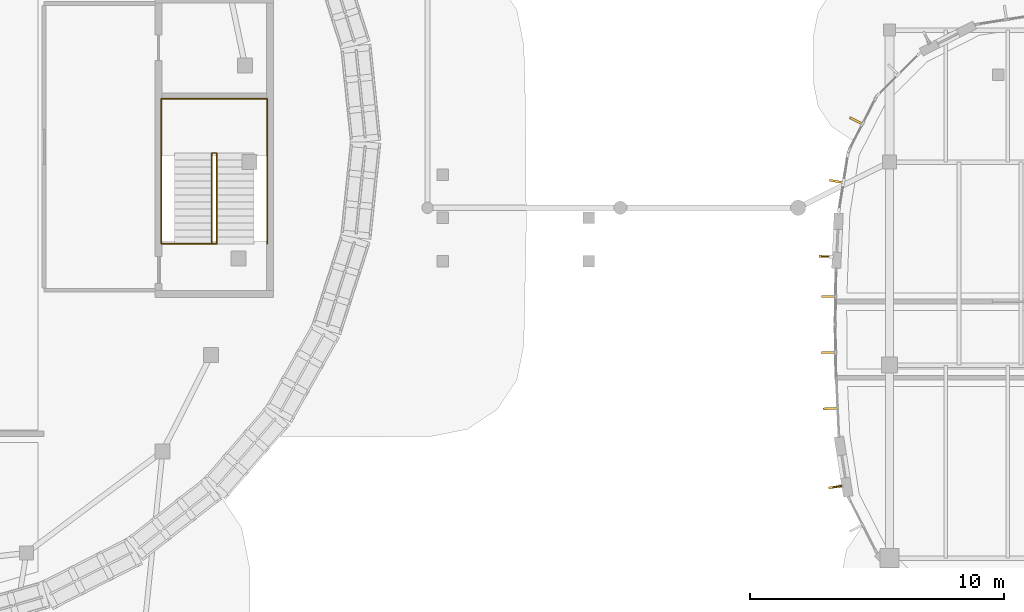
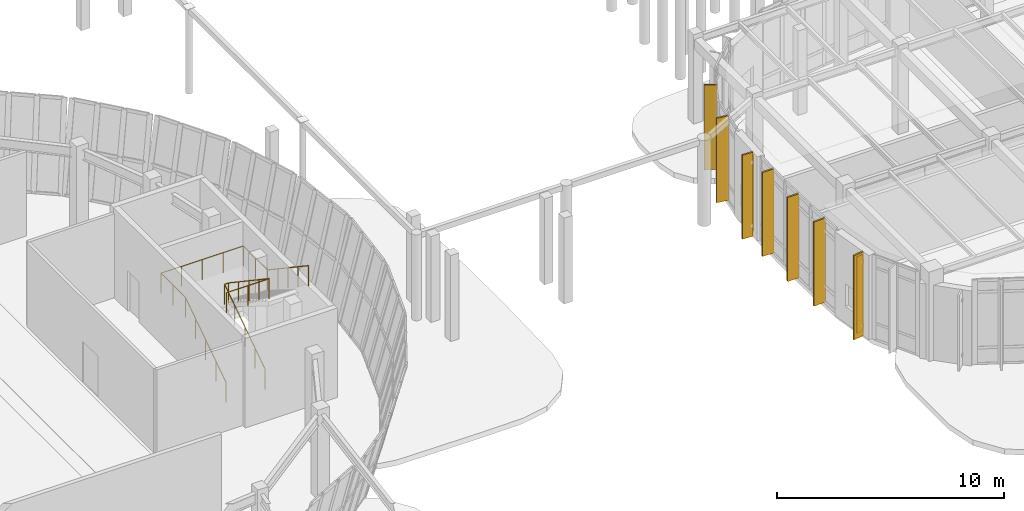
# One storey, part 104 of 120: 7 coverings, 3 railings, 2 shading devices.
"""IFC4 building model written with IfcOpenShell, lengths in metres."""

from ifc_helpers import new_model, si_unit, direction, frame, origin, origin_2d, place, context, subcontext, project, spatial, polyline, rectangle, circle, outline, extrude, material, layer, layer_set, type_object, element, save


model = new_model("IFC4")

# Units and contexts
model_context = context("Model", 3, precision=1e-05, world=origin(), true_north=direction((0.0, 1.0)))
body_context = subcontext(model_context, "Body", "Model", "MODEL_VIEW")
ifc_project = project(units=[si_unit("LENGTHUNIT", "METRE"), si_unit("AREAUNIT", "SQUARE_METRE"), si_unit("VOLUMEUNIT", "CUBIC_METRE"), si_unit("PLANEANGLEUNIT", "RADIAN"), si_unit("MASSUNIT", "GRAM", prefix="KILO")], contexts=[model_context])

# Site, building, storey
site_placement = place(None, origin())
site = spatial("IfcSite", under=ifc_project, at=site_placement, CompositionType="ELEMENT")
building_placement = place(site_placement, origin())
building = spatial("IfcBuilding", under=site, at=building_placement, Name="Corveleigh Park Community Centre", CompositionType="ELEMENT")
storey_placement = place(building_placement, origin())
storey = spatial("IfcBuildingStorey", under=building, at=storey_placement, Name="L00", CompositionType="ELEMENT", Elevation=0.0)

# Coverings
ifc_material_1 = material(Name="Warm buff ribbed architectural cladding", Category="masonry")
ifc_layer = layer(ifc_material_1, 0.0849609375, Name="Warm buff ribbed architectural cladding", Category="masonry")
ifc_layer_set = layer_set([ifc_layer], Name="Warm buff ribbed architectural cladding")
covering_type = type_object("IfcCoveringType", Name="COV-CLD-BUF", PredefinedType="CLADDING", material=ifc_layer_set)
covering_1_placement = place(storey_placement, origin())
element("IfcCovering", 1, at=covering_1_placement, inside=storey, type_object=covering_type, Name="V3 L00 Brise-soleil blade 83", PredefinedType="CLADDING", context=body_context, shape_type="SweptSolid", body=[
    extrude(outline(polyline([(70.93505859375, 28.2509765625), (70.972900390625, 28.325927734375), (70.4560546875, 28.590087890625), (70.41796875, 28.513916015625), (70.93505859375, 28.2509765625)])), origin(), (0.0, 0.0, 1.0), 4.537109375),
])
covering_2_placement = place(storey_placement, origin())
element("IfcCovering", 2, at=covering_2_placement, inside=storey, type_object=covering_type, Name="V3 L00 Brise-soleil blade 84", PredefinedType="CLADDING", context=body_context, shape_type="SweptSolid", body=[
    extrude(outline(polyline([(70.202880859375, 25.948974609375), (70.216064453125, 26.032958984375), (69.64306640625, 26.1240234375), (69.6298828125, 26.0400390625), (70.202880859375, 25.948974609375)])), origin(), (0.0, 0.0, 1.0), 4.537109375),
])
covering_3_placement = place(storey_placement, origin())
element("IfcCovering", 3, at=covering_3_placement, inside=storey, type_object=covering_type, Name="V3 L00 Brise-soleil blade 85", PredefinedType="CLADDING", context=body_context, shape_type="SweptSolid", body=[
    extrude(outline(polyline([(69.7529296875, 23.02490234375), (69.757080078125, 23.110107421875), (69.221923828125, 23.134033203125), (69.218017578125, 23.049072265625), (69.7529296875, 23.02490234375)])), origin(), (0.0, 0.0, 1.0), 4.511962890625),
])
covering_4_placement = place(storey_placement, origin())
element("IfcCovering", 4, at=covering_4_placement, inside=storey, type_object=covering_type, Name="V3 L00 Brise-soleil blade 86", PredefinedType="CLADDING", context=body_context, shape_type="SweptSolid", body=[
    extrude(outline(polyline([(69.902099609375, 21.4580078125), (69.903076171875, 21.54296875), (69.322998046875, 21.551025390625), (69.322021484375, 21.466064453125), (69.902099609375, 21.4580078125)])), origin(), (0.0, 0.0, 1.0), 4.511962890625),
])
covering_5_placement = place(storey_placement, origin())
element("IfcCovering", 5, at=covering_5_placement, inside=storey, type_object=covering_type, Name="V3 L00 Brise-soleil blade 87", PredefinedType="CLADDING", context=body_context, shape_type="SweptSolid", body=[
    extrude(outline(polyline([(69.903076171875, 19.257080078125), (69.902099609375, 19.342041015625), (69.322021484375, 19.333984375), (69.322998046875, 19.2490234375), (69.903076171875, 19.257080078125)])), origin(), (0.0, 0.0, 1.0), 4.511962890625),
])
covering_6_placement = place(storey_placement, origin())
element("IfcCovering", 6, at=covering_6_placement, inside=storey, type_object=covering_type, Name="V3 L00 Brise-soleil blade 88", PredefinedType="CLADDING", context=body_context, shape_type="SweptSolid", body=[
    extrude(outline(polyline([(69.970947265625, 17.06201171875), (69.967041015625, 17.14697265625), (69.387939453125, 17.1201171875), (69.39111328125, 17.034912109375), (69.970947265625, 17.06201171875)])), origin(), (0.0, 0.0, 1.0), 4.511962890625),
])
covering_7_placement = place(storey_placement, origin())
element("IfcCovering", 7, at=covering_7_placement, inside=storey, type_object=covering_type, Name="V3 L00 Brise-soleil blade 89", PredefinedType="CLADDING", context=body_context, shape_type="SweptSolid", body=[
    extrude(outline(polyline([(70.138916015625, 14.0029296875), (70.1259765625, 14.0869140625), (69.597900390625, 14.0029296875), (69.611083984375, 13.9189453125), (70.138916015625, 14.0029296875)])), origin(), (0.0, 0.0, 1.0), 4.511962890625),
])

# Railings
ifc_material_2 = material(Name="Stainless steel 316 balustrade", Category="steel")
railing_type = type_object("IfcRailingType", Name="RLG-BAL-INT-1100", PredefinedType="BALUSTRADE", material=ifc_material_2)
railing_1_placement = place(storey_placement, frame((45.300048828125, 23.580078125, 0.0)))
element("IfcRailing", 8, at=railing_1_placement, inside=storey, type_object=railing_type, Name="Stair ST5 inner guard L00", PredefinedType="BALUSTRADE", context=body_context, shape_type="SweptSolid", body=[
    extrude(circle(Radius=0.02392578125, at=origin_2d()), frame((0.0, 0.0, 1.076171875), z_axis=(0.0, 0.830266487006, 0.557366630285), x_axis=(-1.0, 0.0, 0.0)), (0.0, 0.0, 1.0), 4.305908203125),
    extrude(circle(Radius=0.02392578125, at=origin_2d()), frame((0.0, 3.574951171875, 3.47607421875), z_axis=(1.0, 0.0, 0.0), x_axis=(0.0, 1.0, 0.0)), (0.0, 0.0, 1.0), 0.199951171875),
    extrude(circle(Radius=0.02392578125, at=origin_2d()), frame((0.199951171875, 3.574951171875, 3.47607421875), z_axis=(0.0, -0.830240247997, 0.557405714543), x_axis=(1.0, 0.0, 0.0)), (0.0, 0.0, 1.0), 4.305908203125),
    extrude(circle(Radius=0.02099609375, at=origin_2d()), origin(), (0.0, 0.0, 1.0), 1.052001953125),
    extrude(circle(Radius=0.02099609375, at=origin_2d()), frame((0.0, 0.893798828125, 0.60009765625)), (0.0, 0.0, 1.0), 1.052001953125),
    extrude(circle(Radius=0.02099609375, at=origin_2d()), frame((0.0, 1.78759765625, 1.199951171875)), (0.0, 0.0, 1.0), 1.052001953125),
    extrude(circle(Radius=0.02099609375, at=origin_2d()), frame((0.0, 2.68115234375, 1.7998046875)), (0.0, 0.0, 1.0), 1.052001953125),
    extrude(circle(Radius=0.02099609375, at=origin_2d()), frame((0.0, 3.574951171875, 2.39990234375)), (0.0, 0.0, 1.0), 1.052001953125),
    extrude(circle(Radius=0.02099609375, at=origin_2d()), frame((0.199951171875, 3.574951171875, 2.39990234375)), (0.0, 0.0, 1.0), 1.052001953125),
    extrude(circle(Radius=0.02099609375, at=origin_2d()), frame((0.199951171875, 2.68115234375, 3.0)), (0.0, 0.0, 1.0), 1.052001953125),
    extrude(circle(Radius=0.02099609375, at=origin_2d()), frame((0.199951171875, 1.78759765625, 3.60009765625)), (0.0, 0.0, 1.0), 1.052001953125),
    extrude(circle(Radius=0.02099609375, at=origin_2d()), frame((0.199951171875, 0.893798828125, 4.199951171875)), (0.0, 0.0, 1.0), 1.052001953125),
    extrude(circle(Radius=0.02099609375, at=origin_2d()), frame((0.199951171875, 0.0, 4.800048828125)), (0.0, 0.0, 1.0), 1.052001953125),
])
railing_2_placement = place(storey_placement, frame((43.330078125, 23.580078125, 4.800048828125)))
element("IfcRailing", 9, at=railing_2_placement, inside=storey, type_object=railing_type, Name="Stair ST5 landing guard L00", PredefinedType="BALUSTRADE", context=body_context, shape_type="SweptSolid", body=[
    extrude(circle(Radius=0.02392578125, at=origin_2d()), frame((0.0, 0.0, 1.076171875), z_axis=(1.0, 0.0, 0.0), x_axis=(0.0, 1.0, 0.0)), (0.0, 0.0, 1.0), 2.169921875),
    extrude(circle(Radius=0.02099609375, at=origin_2d()), origin(), (0.0, 0.0, 1.0), 1.052001953125),
    extrude(circle(Radius=0.02099609375, at=origin_2d()), frame((1.0849609375, 0.0, 0.0)), (0.0, 0.0, 1.0), 1.052001953125),
    extrude(circle(Radius=0.02099609375, at=origin_2d()), frame((2.169921875, 0.0, 0.0)), (0.0, 0.0, 1.0), 1.052001953125),
])
railing_3_placement = place(storey_placement, frame((43.31005859375, 23.580078125, 0.0)))
element("IfcRailing", 10, at=railing_3_placement, inside=storey, type_object=railing_type, Name="Stair ST5 perimeter guard L00", PredefinedType="BALUSTRADE", context=body_context, shape_type="SweptSolid", body=[
    extrude(circle(Radius=0.02392578125, at=origin_2d()), frame((0.0, 0.0, 1.076171875), z_axis=(0.0, 0.830266487006, 0.557366630285), x_axis=(-1.0, 0.0, 0.0)), (0.0, 0.0, 1.0), 4.305908203125),
    extrude(circle(Radius=0.02392578125, at=origin_2d()), frame((0.0, 3.574951171875, 3.47607421875), z_axis=(0.0, 1.0, 0.0), x_axis=(-1.0, 0.0, 0.0)), (0.0, 0.0, 1.0), 2.137939453125),
    extrude(circle(Radius=0.02392578125, at=origin_2d()), frame((0.0, 5.712890625, 3.47607421875), z_axis=(1.0, 0.0, 0.0), x_axis=(0.0, 1.0, 0.0)), (0.0, 0.0, 1.0), 4.180908203125),
    extrude(circle(Radius=0.02392578125, at=origin_2d()), frame((4.180908203125, 5.712890625, 3.47607421875), z_axis=(0.0, -1.0, 0.0), x_axis=(1.0, 0.0, 0.0)), (0.0, 0.0, 1.0), 2.137939453125),
    extrude(circle(Radius=0.02392578125, at=origin_2d()), frame((4.180908203125, 3.574951171875, 3.47607421875), z_axis=(0.0, -0.830240247997, 0.557405714543), x_axis=(1.0, 0.0, 0.0)), (0.0, 0.0, 1.0), 4.305908203125),
    extrude(circle(Radius=0.02099609375, at=origin_2d()), origin(), (0.0, 0.0, 1.0), 1.052001953125),
    extrude(circle(Radius=0.02099609375, at=origin_2d()), frame((0.0, 0.893798828125, 0.60009765625)), (0.0, 0.0, 1.0), 1.052001953125),
    extrude(circle(Radius=0.02099609375, at=origin_2d()), frame((0.0, 1.78759765625, 1.199951171875)), (0.0, 0.0, 1.0), 1.052001953125),
    extrude(circle(Radius=0.02099609375, at=origin_2d()), frame((0.0, 2.68115234375, 1.7998046875)), (0.0, 0.0, 1.0), 1.052001953125),
    extrude(circle(Radius=0.02099609375, at=origin_2d()), frame((0.0, 3.574951171875, 2.39990234375)), (0.0, 0.0, 1.0), 1.052001953125),
    extrude(circle(Radius=0.02099609375, at=origin_2d()), frame((0.0, 4.64404296875, 2.39990234375)), (0.0, 0.0, 1.0), 1.052001953125),
    extrude(circle(Radius=0.02099609375, at=origin_2d()), frame((0.0, 5.712890625, 2.39990234375)), (0.0, 0.0, 1.0), 1.052001953125),
    extrude(circle(Radius=0.02099609375, at=origin_2d()), frame((1.045166015625, 5.712890625, 2.39990234375)), (0.0, 0.0, 1.0), 1.052001953125),
    extrude(circle(Radius=0.02099609375, at=origin_2d()), frame((2.09033203125, 5.712890625, 2.39990234375)), (0.0, 0.0, 1.0), 1.052001953125),
    extrude(circle(Radius=0.02099609375, at=origin_2d()), frame((3.1357421875, 5.712890625, 2.39990234375)), (0.0, 0.0, 1.0), 1.052001953125),
    extrude(circle(Radius=0.02099609375, at=origin_2d()), frame((4.180908203125, 5.712890625, 2.39990234375)), (0.0, 0.0, 1.0), 1.052001953125),
    extrude(circle(Radius=0.02099609375, at=origin_2d()), frame((4.180908203125, 4.64404296875, 2.39990234375)), (0.0, 0.0, 1.0), 1.052001953125),
    extrude(circle(Radius=0.02099609375, at=origin_2d()), frame((4.180908203125, 3.574951171875, 2.39990234375)), (0.0, 0.0, 1.0), 1.052001953125),
    extrude(circle(Radius=0.02099609375, at=origin_2d()), frame((4.180908203125, 2.68115234375, 3.0)), (0.0, 0.0, 1.0), 1.052001953125),
    extrude(circle(Radius=0.02099609375, at=origin_2d()), frame((4.180908203125, 1.78759765625, 3.60009765625)), (0.0, 0.0, 1.0), 1.052001953125),
    extrude(circle(Radius=0.02099609375, at=origin_2d()), frame((4.180908203125, 0.893798828125, 4.199951171875)), (0.0, 0.0, 1.0), 1.052001953125),
    extrude(circle(Radius=0.02099609375, at=origin_2d()), frame((4.180908203125, 0.0, 4.800048828125)), (0.0, 0.0, 1.0), 1.052001953125),
])

# Shading devices
ifc_material_3 = material(Name="Terracotta-anodised aluminium fin", Category="masonry")
shading_device_type_1 = type_object("IfcShadingDeviceType", Name="SHD-FIN-TER-350", PredefinedType="USERDEFINED", material=ifc_material_3)
shading_device_1_placement = place(storey_placement, frame((69.945068359375, 14.014892578125, 0.25), z_axis=(0.0, 0.0, 1.0), x_axis=(-0.98768803972, -0.156436364679, 0.0)))
element("IfcShadingDevice", 11, at=shading_device_1_placement, inside=storey, type_object=shading_device_type_1, Name="Terracotta brise-soleil fin 13", ObjectType="FIN", PredefinedType="USERDEFINED", context=body_context, shape_type="SweptSolid", body=[
    extrude(rectangle(XDim=0.35009765625, YDim=0.06005859375, at=origin_2d()), origin(), (0.0, 0.0, 1.0), 4.112060546875),
])
shading_device_type_2 = type_object("IfcShadingDeviceType", Name="SHD-FIN-TER-450", PredefinedType="USERDEFINED", material=ifc_material_3)
shading_device_2_placement = place(storey_placement, frame((69.56494140625, 23.075927734375, 0.25), z_axis=(0.0, 0.0, 1.0), x_axis=(-0.998942789627, 0.045970676011, 0.0)))
element("IfcShadingDevice", 12, at=shading_device_2_placement, inside=storey, type_object=shading_device_type_2, Name="Terracotta brise-soleil fin 12", ObjectType="FIN", PredefinedType="USERDEFINED", context=body_context, shape_type="SweptSolid", body=[
    extrude(rectangle(XDim=0.449951171875, YDim=0.06494140625, at=origin_2d()), origin(), (0.0, 0.0, 1.0), 4.112060546875),
])

save(model, "model.ifc")
